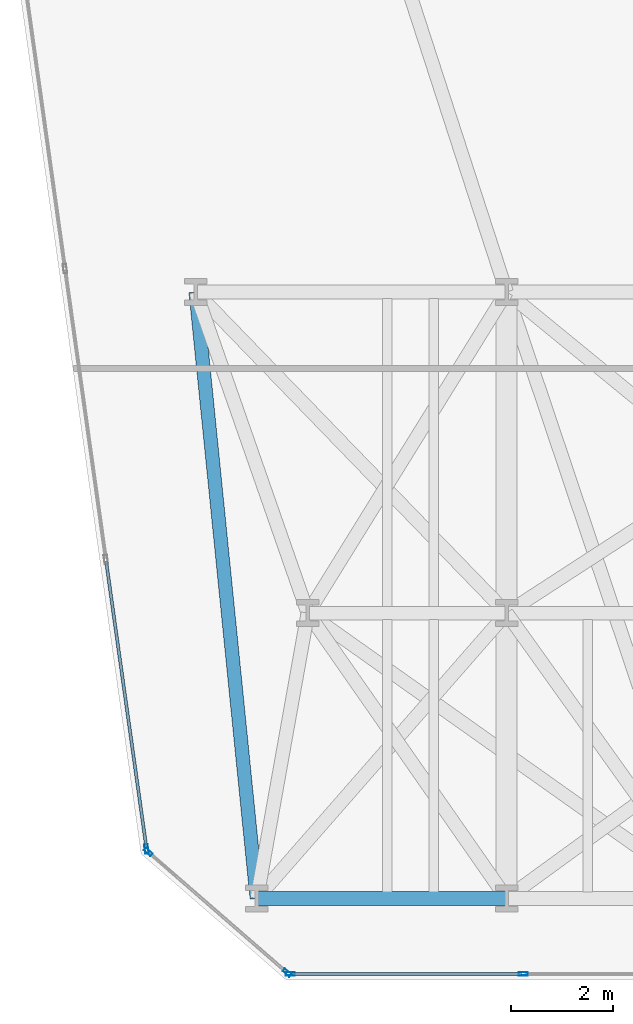
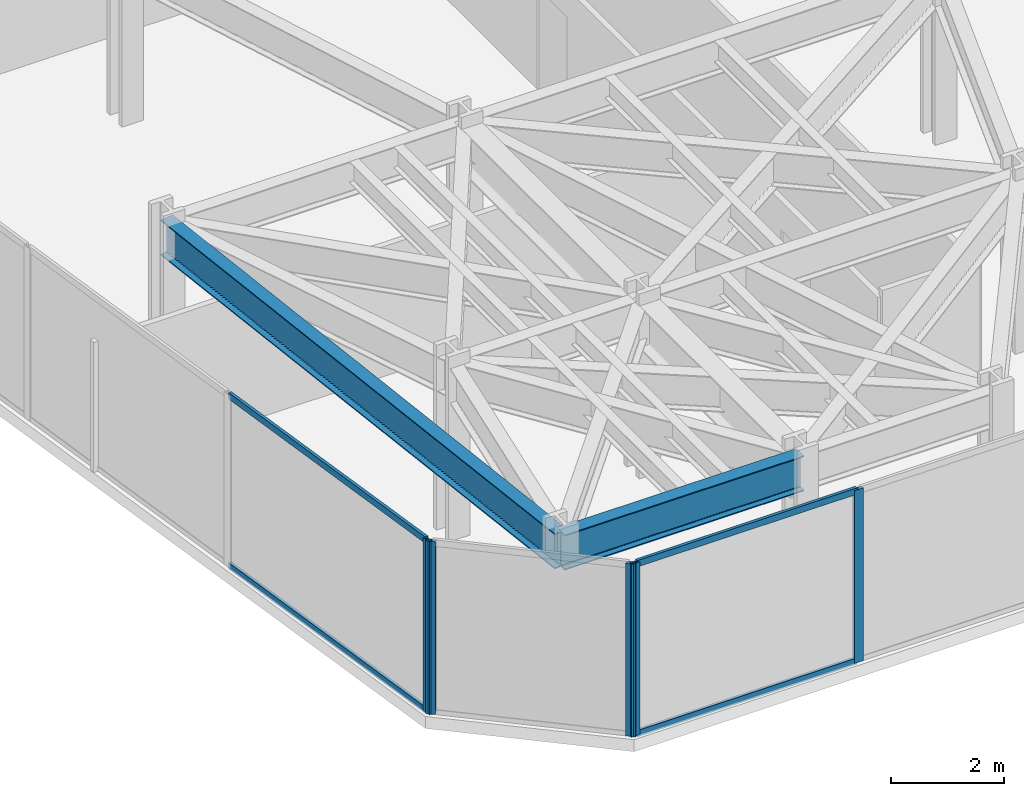
# One storey, part 2 of 24: 9 members, 2 beams, 3 elements without a shape of their own.
"""IFC4 building model written with IfcOpenShell, lengths in metres."""

from ifc_helpers import new_model, si_unit, direction, frame, origin, origin_2d, place, context, subcontext, project, spatial, hollow_rectangle, i_section, extrude, material, layer, layer_set, material_profile, profile_set, type_object, element, aggregate, save


model = new_model("IFC4")

# Units and contexts
model_context = context("Model", 3, precision=1e-05, world=origin(), true_north=direction((0.0, 1.0)))
body_context = subcontext(model_context, "Body", "Model", "MODEL_VIEW")
ifc_project = project(units=[si_unit("LENGTHUNIT", "METRE"), si_unit("AREAUNIT", "SQUARE_METRE"), si_unit("VOLUMEUNIT", "CUBIC_METRE"), si_unit("PLANEANGLEUNIT", "RADIAN"), si_unit("MASSUNIT", "GRAM", prefix="KILO")], contexts=[model_context])

# Site, building, storey
site_placement = place(None, origin())
site = spatial("IfcSite", under=ifc_project, at=site_placement, CompositionType="ELEMENT")
building_placement = place(site_placement, origin())
building = spatial("IfcBuilding", under=site, at=building_placement, Name="Kravanh Interchange Tower", CompositionType="ELEMENT")
storey_placement = place(building_placement, frame((0.0, 0.0, 37.5)))
storey = spatial("IfcBuildingStorey", under=building, at=storey_placement, Name="L08", CompositionType="ELEMENT", Elevation=37.5)

# Curtain wall, member
ifc_material_1 = material(Name="Anodised Bronze Aluminium", Category="aluminium")
ifc_layer = layer(ifc_material_1, 0.179931640625)
ifc_layer_set = layer_set([ifc_layer], Name="Unitised Curtain Wall System CW-Z1 Lower Office")
curtain_wall_type = type_object("IfcCurtainWallType", Name="Unitised Curtain Wall System CW-Z1 Lower Office", PredefinedType="NOTDEFINED", material=ifc_layer_set)
curtain_wall_1_placement = place(storey_placement, origin())
curtain_wall_1 = element("IfcCurtainWall", 1, at=curtain_wall_1_placement, inside=storey, type_object=curtain_wall_type, Name="L08 Unitised Curtain Wall CW-L08-01", PredefinedType="NOTDEFINED")
ifc_material_2 = material(Name="Anodised Bronze Aluminium", Category="aluminium")
ifc_material_profile_1 = material_profile(ifc_material_2, hollow_rectangle(XDim=0.070068359375, YDim=0.179931640625, WallThickness=0.00390625, at=origin_2d()), Name="ALU70X180X4")
ifc_profile_set_1 = profile_set([ifc_material_profile_1], Name="Anodised Bronze Aluminium")
member_type_1 = type_object("IfcMemberType", Name="Curtain Wall Mullion ALU70X180X4 Bronze", PredefinedType="MULLION", material=ifc_profile_set_1)
member_1_placement = place(storey_placement, frame((10.435546875, 3.571533203125, 0.0), z_axis=(0.0, 0.0, 1.0), x_axis=(-0.990267585682, -0.139176538065, 0.0)))
member_1 = element("IfcMember", 2, at=member_1_placement, type_object=member_type_1, Name="CW-Z1 mullion 1", PredefinedType="MULLION", context=body_context, shape_type="SweptSolid", body=[
    extrude(hollow_rectangle(XDim=0.070068359375, YDim=0.179931640625, WallThickness=0.00390625, at=origin_2d()), origin(), (0.0, 0.0, 1.0), 3.739990234375),
])

# Curtain wall, members
curtain_wall_2_placement = place(storey_placement, origin())
curtain_wall_2 = element("IfcCurtainWall", 3, at=curtain_wall_2_placement, inside=storey, type_object=curtain_wall_type, Name="L08 Unitised Curtain Wall CW-L08-06", PredefinedType="NOTDEFINED")
member_2_placement = place(storey_placement, frame((17.8271484375, 1.1201171875, 0.0), z_axis=(0.0, 0.0, 1.0), x_axis=(0.0, -1.0, 0.0)))
member_2 = element("IfcMember", 4, at=member_2_placement, type_object=member_type_1, Name="CW-Z1 mullion 2", PredefinedType="MULLION", context=body_context, shape_type="SweptSolid", body=[
    extrude(hollow_rectangle(XDim=0.070068359375, YDim=0.179931640625, WallThickness=0.00390625, at=origin_2d()), origin(), (0.0, 0.0, 1.0), 3.739990234375),
])
member_3_placement = place(storey_placement, frame((13.255615234375, 1.1201171875, 0.0), z_axis=(0.0, 0.0, 1.0), x_axis=(0.0, -1.0, 0.0)))
member_3 = element("IfcMember", 5, at=member_3_placement, type_object=member_type_1, Name="CW-Z1 mullion 3", PredefinedType="MULLION", context=body_context, shape_type="SweptSolid", body=[
    extrude(hollow_rectangle(XDim=0.070068359375, YDim=0.179931640625, WallThickness=0.00390625, at=origin_2d()), origin(), (0.0, 0.0, 1.0), 3.739990234375),
])

curtain_wall_3_placement = place(storey_placement, origin())
curtain_wall_3 = element("IfcCurtainWall", 6, at=curtain_wall_3_placement, inside=storey, type_object=curtain_wall_type, Name="L08 Unitised Curtain Wall CW-L08-07", PredefinedType="NOTDEFINED")
member_4_placement = place(storey_placement, frame((13.194091796875, 1.14306640625, 0.0), z_axis=(0.0, 0.0, 1.0), x_axis=(-0.656060422341, -0.754708368999, 0.0)))
member_4 = element("IfcMember", 7, at=member_4_placement, type_object=member_type_1, Name="CW-Z1 mullion 1", PredefinedType="MULLION", context=body_context, shape_type="SweptSolid", body=[
    extrude(hollow_rectangle(XDim=0.070068359375, YDim=0.179931640625, WallThickness=0.00390625, at=origin_2d()), origin(), (0.0, 0.0, 1.0), 3.739990234375),
])
member_5_placement = place(storey_placement, frame((10.466796875, 3.513916015625, 0.0), z_axis=(0.0, 0.0, 1.0), x_axis=(-0.656060422341, -0.754708368999, 0.0)))
member_5 = element("IfcMember", 8, at=member_5_placement, type_object=member_type_1, Name="CW-Z1 mullion 2", PredefinedType="MULLION", context=body_context, shape_type="SweptSolid", body=[
    extrude(hollow_rectangle(XDim=0.070068359375, YDim=0.179931640625, WallThickness=0.00390625, at=origin_2d()), origin(), (0.0, 0.0, 1.0), 3.739990234375),
])
aggregate(curtain_wall_3, [member_4, member_5])

# Member
ifc_material_3 = material(Name="Anodised Bronze Aluminium", Category="aluminium")
ifc_material_profile_2 = material_profile(ifc_material_3, hollow_rectangle(XDim=0.06005859375, YDim=0.139892578125, WallThickness=0.00390625, at=origin_2d()), Name="ALU60X140X4")
ifc_profile_set_2 = profile_set([ifc_material_profile_2], Name="Anodised Bronze Aluminium")
member_type_2 = type_object("IfcMemberType", Name="Curtain Wall Transom ALU60X140X4 Bronze", PredefinedType="USERDEFINED", material=ifc_profile_set_2)
member_6_placement = place(storey_placement, frame((10.4306640625, 3.606201171875, 0.030029296875), z_axis=(-0.139199330487, 0.990264382068, 0.0), x_axis=(-0.990264382068, -0.139199330487, 0.0)))
member_6 = element("IfcMember", 9, at=member_6_placement, type_object=member_type_2, Name="CW-Z1 transom 1.1", ObjectType="TRANSOM", PredefinedType="USERDEFINED", context=body_context, shape_type="SweptSolid", body=[
    extrude(hollow_rectangle(XDim=0.06005859375, YDim=0.139892578125, WallThickness=0.00390625, at=origin_2d()), origin(), (0.0, 0.0, 1.0), 5.66162109375),
])

member_7_placement = place(storey_placement, frame((10.4306640625, 3.606201171875, 3.7099609375), z_axis=(-0.139199330487, 0.990264382068, 0.0), x_axis=(-0.990264382068, -0.139199330487, 0.0)))
member_7 = element("IfcMember", 10, at=member_7_placement, type_object=member_type_2, Name="CW-Z1 transom 1.2", ObjectType="TRANSOM", PredefinedType="USERDEFINED", context=body_context, shape_type="SweptSolid", body=[
    extrude(hollow_rectangle(XDim=0.06005859375, YDim=0.139892578125, WallThickness=0.00390625, at=origin_2d()), origin(), (0.0, 0.0, 1.0), 5.66162109375),
])

aggregate(curtain_wall_1, [member_1, member_6, member_7])

member_8_placement = place(storey_placement, frame((17.792236328125, 1.1201171875, 0.030029296875), z_axis=(-1.0, 0.0, 0.0), x_axis=(0.0, -1.0, 0.0)))
member_8 = element("IfcMember", 11, at=member_8_placement, type_object=member_type_2, Name="CW-Z1 transom 2.1", ObjectType="TRANSOM", PredefinedType="USERDEFINED", context=body_context, shape_type="SweptSolid", body=[
    extrude(hollow_rectangle(XDim=0.06005859375, YDim=0.139892578125, WallThickness=0.00390625, at=origin_2d()), origin(), (0.0, 0.0, 1.0), 4.501708984375),
])

member_9_placement = place(storey_placement, frame((17.792236328125, 1.1201171875, 3.7099609375), z_axis=(-1.0, 0.0, 0.0), x_axis=(0.0, -1.0, 0.0)))
member_9 = element("IfcMember", 12, at=member_9_placement, type_object=member_type_2, Name="CW-Z1 transom 2.2", ObjectType="TRANSOM", PredefinedType="USERDEFINED", context=body_context, shape_type="SweptSolid", body=[
    extrude(hollow_rectangle(XDim=0.06005859375, YDim=0.139892578125, WallThickness=0.00390625, at=origin_2d()), origin(), (0.0, 0.0, 1.0), 4.501708984375),
])

aggregate(curtain_wall_2, [member_2, member_3, member_8, member_9])

# Beams
ifc_material_4 = material(Name="Structural Steel S355", Category="steel")
ifc_material_profile_3 = material_profile(ifc_material_4, i_section(OverallWidth=0.26708984375, OverallDepth=0.761962890625, WebThickness=0.014404296875, FlangeThickness=0.021484375, FilletRadius=0.02490234375, at=origin_2d()), Name="W30X116")
ifc_profile_set_3 = profile_set([ifc_material_profile_3], Name="Structural Steel S355")
beam_type = type_object("IfcBeamType", Name="Floor Spandrel W30X116 Structural Steel S355", PredefinedType="SPANDREL", material=ifc_profile_set_3)
beam_1_placement = place(storey_placement, frame((12.60009765625, 2.60009765625, 3.35888671875), z_axis=(1.0, 0.0, 0.0), x_axis=(0.0, 1.0, 0.0)))
element("IfcBeam", 13, at=beam_1_placement, inside=storey, type_object=beam_type, Name="L08 Perimeter Spandrel 38", PredefinedType="SPANDREL", context=body_context, shape_type="SweptSolid", body=[
    extrude(i_section(OverallWidth=0.26708984375, OverallDepth=0.761962890625, WebThickness=0.014404296875, FlangeThickness=0.021484375, FilletRadius=0.02490234375, at=origin_2d()), origin(), (0.0, 0.0, 1.0), 4.89990234375),
])
beam_2_placement = place(storey_placement, frame((12.60009765625, 2.60009765625, 3.35888671875), z_axis=(-0.100348483042, 0.994952351598, 0.0), x_axis=(-0.994952351598, -0.100348483042, 0.0)))
element("IfcBeam", 14, at=beam_2_placement, inside=storey, type_object=beam_type, Name="L08 Perimeter Spandrel 41", PredefinedType="SPANDREL", context=body_context, shape_type="SweptSolid", body=[
    extrude(i_section(OverallWidth=0.26708984375, OverallDepth=0.761962890625, WebThickness=0.014404296875, FlangeThickness=0.021484375, FilletRadius=0.02490234375, at=origin_2d()), origin(), (0.0, 0.0, 1.0), 11.960205078125),
])

save(model, "model.ifc")
